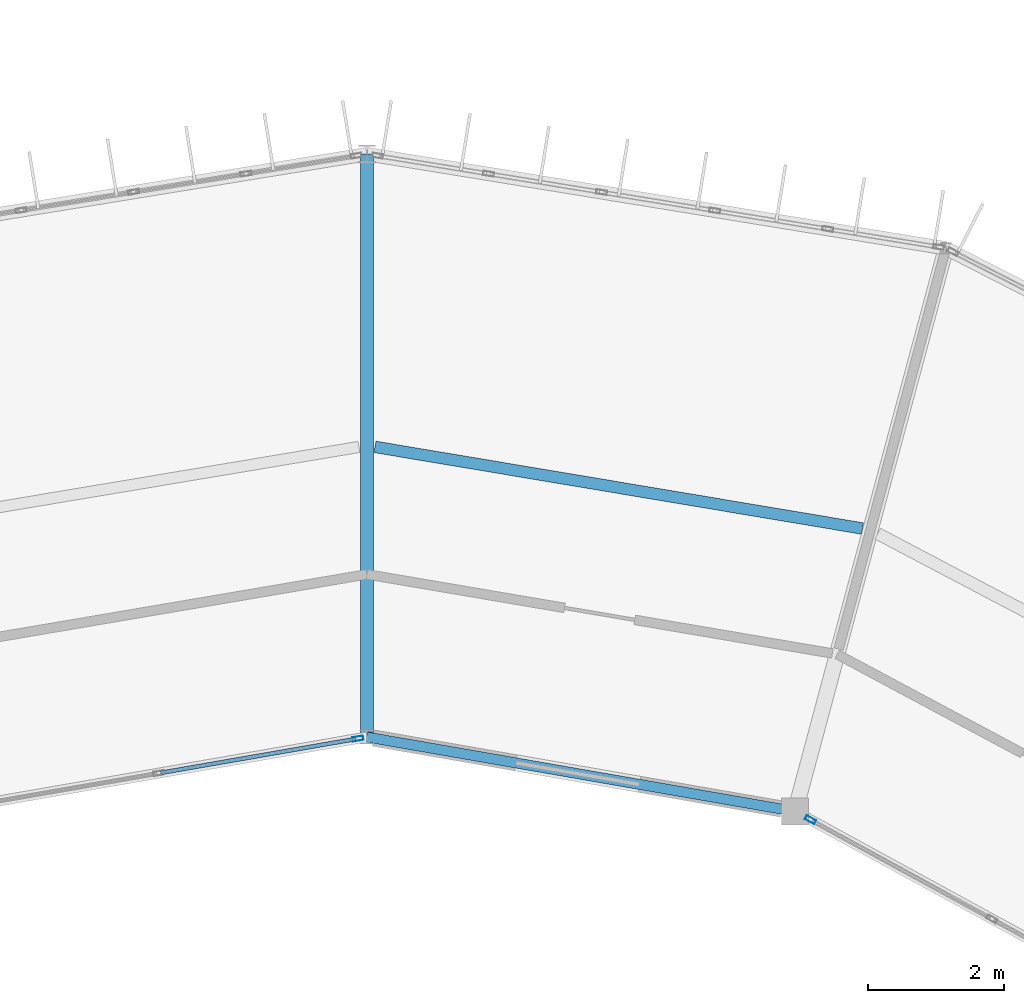
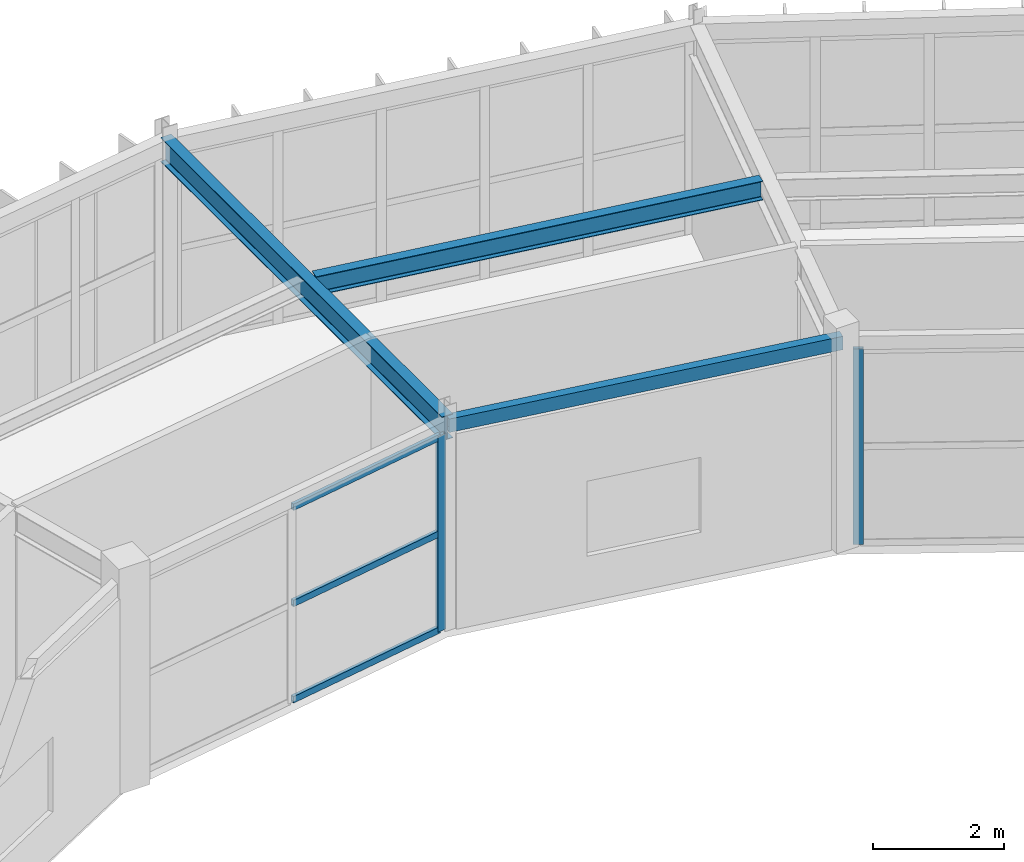
# One storey, part 99 of 157: 5 members, 3 beams, 2 elements without a shape of their own.
"""IFC4 building model written with IfcOpenShell, lengths in metres."""

from ifc_helpers import new_model, si_unit, direction, frame, origin, origin_2d, place, context, subcontext, project, spatial, hollow_rectangle, i_section, extrude, material, material_profile, profile_set, type_object, element, aggregate, save


model = new_model("IFC4")

# Units and contexts
model_context = context("Model", 3, precision=1e-05, world=origin(), true_north=direction((0.0, 1.0)))
body_context = subcontext(model_context, "Body", "Model", "MODEL_VIEW")
ifc_project = project(units=[si_unit("LENGTHUNIT", "METRE"), si_unit("AREAUNIT", "SQUARE_METRE"), si_unit("VOLUMEUNIT", "CUBIC_METRE"), si_unit("PLANEANGLEUNIT", "RADIAN"), si_unit("MASSUNIT", "GRAM", prefix="KILO")], contexts=[model_context])

# Site, building, storey
site_placement = place(None, origin())
site = spatial("IfcSite", under=ifc_project, at=site_placement, CompositionType="ELEMENT")
building_placement = place(site_placement, origin())
building = spatial("IfcBuilding", under=site, at=building_placement, Name="Karori Crest Natural Sciences Institute", CompositionType="ELEMENT")
storey_placement = place(building_placement, frame((0.0, 0.0, 13.300048828125)))
storey = spatial("IfcBuildingStorey", under=building, at=storey_placement, Name="L03", CompositionType="ELEMENT", Elevation=13.300048828125)

# Beams
ifc_material_1 = material(Name="Hollow structural steel AS/NZS 1163 Grade C350", Category="steel")
ifc_material_profile_1 = material_profile(ifc_material_1, hollow_rectangle(XDim=0.14990234375, YDim=0.25, WallThickness=0.009033203125, at=origin_2d()), Name="RHS250x150x9")
ifc_profile_set_1 = profile_set([ifc_material_profile_1], Name="Hollow structural steel AS/NZS 1163 Grade C350")
beam_type_1 = type_object("IfcBeamType", Name="BT-16", PredefinedType="SPANDREL", material=ifc_profile_set_1)
beam_1_placement = place(storey_placement, frame((72.715087890625, 81.002685546875, 3.7900390625), z_axis=(-0.985234948316, 0.171207758638, 0.0), x_axis=(-0.171207758638, -0.985234948316, 0.0)))
element("IfcBeam", 1, at=beam_1_placement, inside=storey, type_object=beam_type_1, Name="Beam B-0380", PredefinedType="SPANDREL", context=body_context, shape_type="SweptSolid", body=[
    extrude(hollow_rectangle(XDim=0.14990234375, YDim=0.25, WallThickness=0.009033203125, at=origin_2d()), origin(), (0.0, 0.0, 1.0), 6.409912109375),
])
ifc_material_2 = material(Name="Structural steel AS/NZS 3679.1 Grade 350", Category="steel")
ifc_material_profile_2 = material_profile(ifc_material_2, i_section(OverallWidth=0.18994140625, OverallDepth=0.4541015625, WebThickness=0.008544921875, FlangeThickness=0.0126953125, FilletRadius=0.010986328125, at=origin_2d()), Name="460UB67.1")
ifc_profile_set_2 = profile_set([ifc_material_profile_2], Name="Structural steel AS/NZS 3679.1 Grade 350")
beam_type_2 = type_object("IfcBeamType", Name="BT-28", PredefinedType="BEAM", material=ifc_profile_set_2)
beam_2_placement = place(storey_placement, frame((66.39990234375, 82.10009765625, 3.712890625), z_axis=(0.0, 1.0, 0.0), x_axis=(-1.0, 0.0, 0.0)))
element("IfcBeam", 2, at=beam_2_placement, inside=storey, type_object=beam_type_2, Name="Beam B-0385", PredefinedType="BEAM", context=body_context, shape_type="SweptSolid", body=[
    extrude(i_section(OverallWidth=0.18994140625, OverallDepth=0.4541015625, WebThickness=0.008544921875, FlangeThickness=0.0126953125, FilletRadius=0.010986328125, at=origin_2d()), origin(), (0.0, 0.0, 1.0), 8.599853515625),
])
ifc_material_profile_3 = material_profile(ifc_material_2, i_section(OverallWidth=0.1708984375, OverallDepth=0.35595703125, WebThickness=0.00732421875, FlangeThickness=0.011474609375, FilletRadius=0.010986328125, at=origin_2d()), Name="360UB50.7")
ifc_profile_set_3 = profile_set([ifc_material_profile_3], Name="Structural steel AS/NZS 3679.1 Grade 350")
beam_type_3 = type_object("IfcBeamType", Name="BT-30", PredefinedType="BEAM", material=ifc_profile_set_3)
beam_3_placement = place(storey_placement, frame((73.709716796875, 85.176025390625, 3.761962890625), z_axis=(-0.986270575365, 0.165137373632, 0.0), x_axis=(-0.165137373632, -0.986270575365, 0.0)))
element("IfcBeam", 3, at=beam_3_placement, inside=storey, type_object=beam_type_3, Name="Beam B-0382", PredefinedType="BEAM", context=body_context, shape_type="SweptSolid", body=[
    extrude(i_section(OverallWidth=0.1708984375, OverallDepth=0.35595703125, WebThickness=0.00732421875, FlangeThickness=0.011474609375, FilletRadius=0.010986328125, at=origin_2d()), origin(), (0.0, 0.0, 1.0), 7.29150390625),
])

# Curtain wall, member
ifc_material_3 = material(Name="Anodised architectural aluminium 6063-T6", Category="aluminium")
curtain_wall_type_1 = type_object("IfcCurtainWallType", Name="CWT-15", PredefinedType="NOTDEFINED", material=ifc_material_3)
curtain_wall_1_placement = place(storey_placement, origin())
curtain_wall_1 = element("IfcCurtainWall", 4, at=curtain_wall_1_placement, inside=storey, type_object=curtain_wall_type_1, Name="Curtain wall CW-0107", PredefinedType="NOTDEFINED")
ifc_material_profile_4 = material_profile(ifc_material_3, hollow_rectangle(XDim=0.06494140625, YDim=0.159912109375, WallThickness=0.00390625, at=origin_2d()), Name="CWM160x65x4")
ifc_profile_set_4 = profile_set([ifc_material_profile_4], Name="Anodised architectural aluminium 6063-T6")
member_type_1 = type_object("IfcMemberType", Name="CWM-01", PredefinedType="MULLION", material=ifc_profile_set_4)
member_1_placement = place(storey_placement, frame((72.94189453125, 80.87890625, 0.0), z_axis=(0.0, 0.0, 1.0), x_axis=(-0.479631017431, -0.877470277057, 0.0)))
member_1 = element("IfcMember", 5, at=member_1_placement, type_object=member_type_1, Name="CW-0107 mullion 3", PredefinedType="MULLION", context=body_context, shape_type="SweptSolid", body=[
    extrude(hollow_rectangle(XDim=0.06494140625, YDim=0.159912109375, WallThickness=0.00390625, at=origin_2d()), origin(), (0.0, 0.0, 1.0), 3.64990234375),
])
aggregate(curtain_wall_1, [member_1])

# Curtain wall, members
curtain_wall_type_2 = type_object("IfcCurtainWallType", Name="CWT-12", PredefinedType="NOTDEFINED", material=ifc_material_3)
curtain_wall_2_placement = place(storey_placement, origin())
curtain_wall_2 = element("IfcCurtainWall", 6, at=curtain_wall_2_placement, inside=storey, type_object=curtain_wall_type_2, Name="Curtain wall CW-0110", PredefinedType="NOTDEFINED")
member_2_placement = place(storey_placement, frame((66.267578125, 82.076904296875, 0.0), z_axis=(0.0, 0.0, 1.0), x_axis=(0.171173924291, -0.985240827231, 0.0)))
member_2 = element("IfcMember", 7, at=member_2_placement, type_object=member_type_1, Name="CW-0110 mullion 1", PredefinedType="MULLION", context=body_context, shape_type="SweptSolid", body=[
    extrude(hollow_rectangle(XDim=0.06494140625, YDim=0.159912109375, WallThickness=0.00390625, at=origin_2d()), origin(), (0.0, 0.0, 1.0), 3.64990234375),
])
ifc_material_profile_5 = material_profile(ifc_material_3, hollow_rectangle(XDim=0.06005859375, YDim=0.1201171875, WallThickness=0.00390625, at=origin_2d()), Name="CWT120x60x4")
ifc_profile_set_5 = profile_set([ifc_material_profile_5], Name="Anodised architectural aluminium 6063-T6")
member_type_2 = type_object("IfcMemberType", Name="CWT-TR1", PredefinedType="USERDEFINED", material=ifc_profile_set_5)
member_3_placement = place(storey_placement, frame((66.2353515625, 82.0712890625, 0.030029296875), z_axis=(-0.985251645562, -0.171111644601, 0.0), x_axis=(0.171111644601, -0.985251645562, 0.0)))
member_3 = element("IfcMember", 8, at=member_3_placement, type_object=member_type_2, Name="CW-0110 transom 1.1", ObjectType="TRANSOM", PredefinedType="USERDEFINED", context=body_context, shape_type="SweptSolid", body=[
    extrude(hollow_rectangle(XDim=0.06005859375, YDim=0.1201171875, WallThickness=0.00390625, at=origin_2d()), origin(), (0.0, 0.0, 1.0), 2.917724609375),
])
member_4_placement = place(storey_placement, frame((66.2353515625, 82.0712890625, 1.824951171875), z_axis=(-0.985251645562, -0.171111644601, 0.0), x_axis=(0.171111644601, -0.985251645562, 0.0)))
member_4 = element("IfcMember", 9, at=member_4_placement, type_object=member_type_2, Name="CW-0110 transom 1.2", ObjectType="TRANSOM", PredefinedType="USERDEFINED", context=body_context, shape_type="SweptSolid", body=[
    extrude(hollow_rectangle(XDim=0.06005859375, YDim=0.1201171875, WallThickness=0.00390625, at=origin_2d()), origin(), (0.0, 0.0, 1.0), 2.917724609375),
])
member_5_placement = place(storey_placement, frame((66.2353515625, 82.0712890625, 3.619873046875), z_axis=(-0.985251645562, -0.171111644601, 0.0), x_axis=(0.171111644601, -0.985251645562, 0.0)))
member_5 = element("IfcMember", 10, at=member_5_placement, type_object=member_type_2, Name="CW-0110 transom 1.3", ObjectType="TRANSOM", PredefinedType="USERDEFINED", context=body_context, shape_type="SweptSolid", body=[
    extrude(hollow_rectangle(XDim=0.06005859375, YDim=0.1201171875, WallThickness=0.00390625, at=origin_2d()), origin(), (0.0, 0.0, 1.0), 2.917724609375),
])
aggregate(curtain_wall_2, [member_2, member_3, member_4, member_5])

save(model, "model.ifc")
